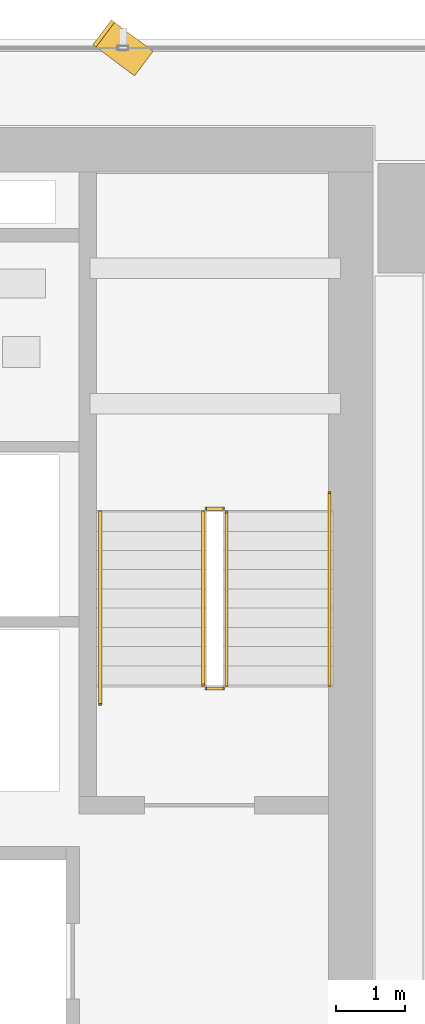
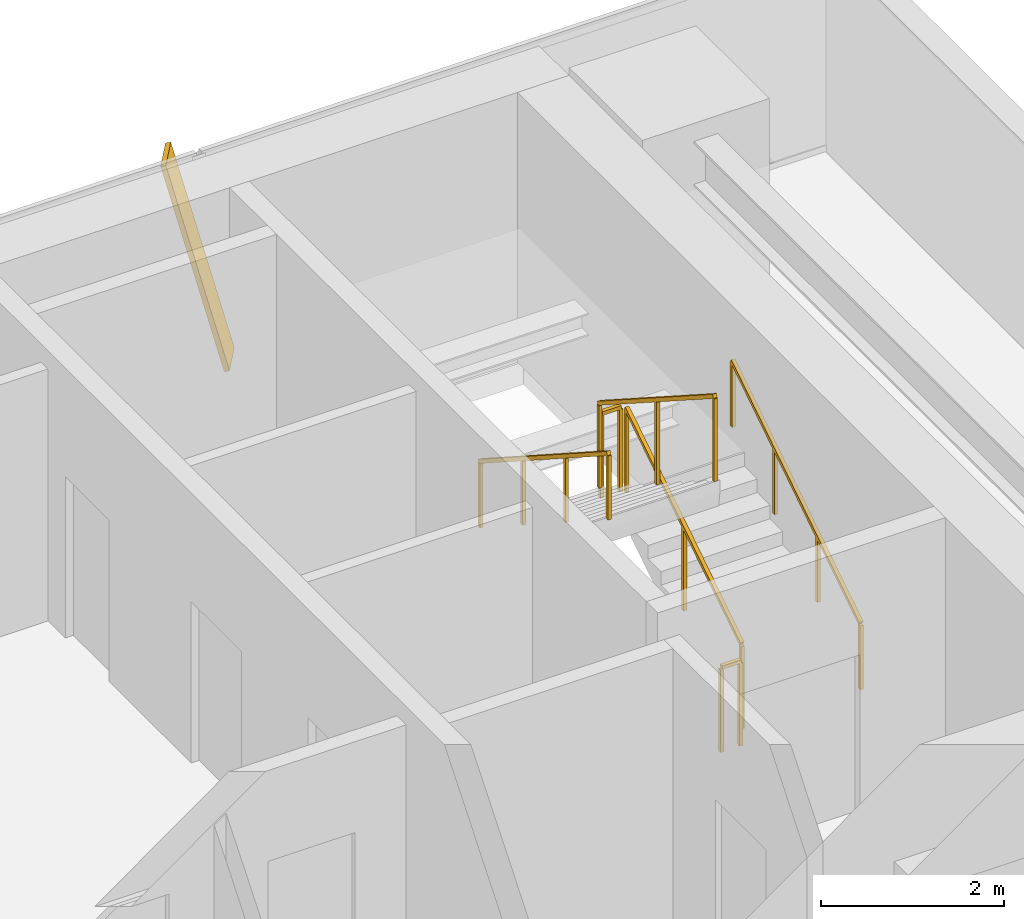
# One storey, part 35 of 36: 6 railings, 1 shading device.
"""IFC4 building model written with IfcOpenShell, lengths in metres."""

from ifc_helpers import new_model, si_unit, direction, frame, origin, origin_2d, place, context, subcontext, project, spatial, rectangle, extrude, source, transform, mapped, material, material_profile, profile_set, type_object, element, save


model = new_model("IFC4")

# Units and contexts
model_context = context("Model", 3, precision=1e-05, world=origin(), true_north=direction((0.0, 1.0)))
body_context = subcontext(model_context, "Body", "Model", "MODEL_VIEW")
ifc_project = project(units=[si_unit("LENGTHUNIT", "METRE"), si_unit("AREAUNIT", "SQUARE_METRE"), si_unit("VOLUMEUNIT", "CUBIC_METRE"), si_unit("PLANEANGLEUNIT", "RADIAN"), si_unit("MASSUNIT", "GRAM", prefix="KILO")], contexts=[model_context])

# Site, building, storey
site_placement = place(None, origin())
site = spatial("IfcSite", under=ifc_project, at=site_placement, CompositionType="ELEMENT")
building_placement = place(site_placement, origin())
building = spatial("IfcBuilding", under=site, at=building_placement, Name="Sumidabori Civic Tower", CompositionType="ELEMENT")
storey_placement = place(building_placement, frame((0.0, 0.0, 77.60009765625)))
storey = spatial("IfcBuildingStorey", under=building, at=storey_placement, Name="L19", CompositionType="ELEMENT", Elevation=77.60009765625)

# Railings
ifc_material_1 = material(Name="Stainless Steel Hairline Finish", Category="steel")
railing_type_1 = type_object("IfcRailingType", Name="RL-HANDRAIL", PredefinedType="HANDRAIL", material=ifc_material_1)
railing_1_placement = place(storey_placement, frame((15.2900390625, 16.0, 0.179931640625)))
element("IfcRailing", 1, at=railing_1_placement, inside=storey, type_object=railing_type_1, Name="L19 ST-2 stair handrail 1", PredefinedType="HANDRAIL", context=body_context, shape_type="SweptSolid", body=[
    extrude(rectangle(XDim=0.048095703125, YDim=0.048095703125, at=origin_2d()), frame((0.0, 0.0, 0.8759765625), z_axis=(0.0, 0.840675598268, 0.541539046124), x_axis=(-1.0, 0.0, 0.0)), (0.0, 0.0, 1.0), 3.330810546875),
    extrude(rectangle(XDim=0.0419921875, YDim=0.0419921875, at=origin_2d()), origin(), (0.0, 0.0, 1.0), 0.851806640625),
    extrude(rectangle(XDim=0.0419921875, YDim=0.0419921875, at=origin_2d()), frame((0.0, 0.933349609375, 0.601318359375)), (0.0, 0.0, 1.0), 0.851806640625),
    extrude(rectangle(XDim=0.0419921875, YDim=0.0419921875, at=origin_2d()), frame((0.0, 1.86669921875, 1.202392578125)), (0.0, 0.0, 1.0), 0.851806640625),
    extrude(rectangle(XDim=0.0419921875, YDim=0.0419921875, at=origin_2d()), frame((0.0, 2.800048828125, 1.8037109375)), (0.0, 0.0, 1.0), 0.851806640625),
])
railing_2_placement = place(storey_placement, frame((11.949951171875, 18.52001953125, 1.97998046875)))
element("IfcRailing", 2, at=railing_2_placement, inside=storey, type_object=railing_type_1, Name="L19 ST-2 stair handrail 2", PredefinedType="HANDRAIL", context=body_context, shape_type="SweptSolid", body=[
    extrude(rectangle(XDim=0.048095703125, YDim=0.048095703125, at=origin_2d()), frame((0.0, 0.0, 0.8759765625), z_axis=(0.0, -0.840675598268, 0.541539046124), x_axis=(1.0, 0.0, 0.0)), (0.0, 0.0, 1.0), 3.330810546875),
    extrude(rectangle(XDim=0.0419921875, YDim=0.0419921875, at=origin_2d()), origin(), (0.0, 0.0, 1.0), 0.851806640625),
    extrude(rectangle(XDim=0.0419921875, YDim=0.0419921875, at=origin_2d()), frame((0.0, -0.933349609375, 0.601318359375)), (0.0, 0.0, 1.0), 0.851806640625),
    extrude(rectangle(XDim=0.0419921875, YDim=0.0419921875, at=origin_2d()), frame((0.0, -1.86669921875, 1.202392578125)), (0.0, 0.0, 1.0), 0.851806640625),
    extrude(rectangle(XDim=0.0419921875, YDim=0.0419921875, at=origin_2d()), frame((0.0, -2.800048828125, 1.8037109375)), (0.0, 0.0, 1.0), 0.851806640625),
])
ifc_material_2 = material(Name="Steel SN490", Category="steel")
railing_type_2 = type_object("IfcRailingType", Name="RL-STAIR-GUARD", PredefinedType="GUARDRAIL", material=ifc_material_2)
railing_3_placement = place(storey_placement, frame((13.7900390625, 16.0, 0.179931640625)))
element("IfcRailing", 3, at=railing_3_placement, inside=storey, type_object=railing_type_2, Name="L19 ST-2 stair guard 1", PredefinedType="GUARDRAIL", context=body_context, shape_type="SweptSolid", body=[
    extrude(rectangle(XDim=0.048095703125, YDim=0.048095703125, at=origin_2d()), frame((0.0, 0.0, 1.1259765625), z_axis=(0.0, 0.841199657755, 0.540724639528), x_axis=(-1.0, 0.0, 0.0)), (0.0, 0.0, 1.0), 2.995849609375),
    extrude(rectangle(XDim=0.0419921875, YDim=0.0419921875, at=origin_2d()), origin(), (0.0, 0.0, 1.0), 1.101806640625),
    extrude(rectangle(XDim=0.0419921875, YDim=0.0419921875, at=origin_2d()), frame((0.0, 1.260009765625, 0.81005859375)), (0.0, 0.0, 1.0), 1.101806640625),
    extrude(rectangle(XDim=0.0419921875, YDim=0.0419921875, at=origin_2d()), frame((0.0, 2.52001953125, 1.619873046875)), (0.0, 0.0, 1.0), 1.101806640625),
])
railing_4_placement = place(storey_placement, frame((13.739990234375, 18.570068359375, 1.7998046875)))
element("IfcRailing", 4, at=railing_4_placement, inside=storey, type_object=railing_type_2, Name="L19 ST-2 stair guard 2", PredefinedType="GUARDRAIL", context=body_context, shape_type="SweptSolid", body=[
    extrude(rectangle(XDim=0.048095703125, YDim=0.048095703125, at=origin_2d()), frame((0.0, 0.0, 1.1259765625), z_axis=(-1.0, 0.0, 0.0), x_axis=(0.0, -1.0, 0.0)), (0.0, 0.0, 1.0), 0.239990234375),
    extrude(rectangle(XDim=0.0419921875, YDim=0.0419921875, at=origin_2d()), origin(), (0.0, 0.0, 1.0), 1.101806640625),
    extrude(rectangle(XDim=0.0419921875, YDim=0.0419921875, at=origin_2d()), frame((-0.239990234375, 0.0, 0.0)), (0.0, 0.0, 1.0), 1.101806640625),
])
railing_5_placement = place(storey_placement, frame((13.449951171875, 18.52001953125, 1.97998046875)))
element("IfcRailing", 5, at=railing_5_placement, inside=storey, type_object=railing_type_2, Name="L19 ST-2 stair guard 3", PredefinedType="GUARDRAIL", context=body_context, shape_type="SweptSolid", body=[
    extrude(rectangle(XDim=0.048095703125, YDim=0.048095703125, at=origin_2d()), frame((0.0, 0.0, 1.1259765625), z_axis=(0.0, -0.841199657755, 0.540724639528), x_axis=(1.0, 0.0, 0.0)), (0.0, 0.0, 1.0), 2.995849609375),
    extrude(rectangle(XDim=0.0419921875, YDim=0.0419921875, at=origin_2d()), origin(), (0.0, 0.0, 1.0), 1.101806640625),
    extrude(rectangle(XDim=0.0419921875, YDim=0.0419921875, at=origin_2d()), frame((0.0, -1.260009765625, 0.81005859375)), (0.0, 0.0, 1.0), 1.101806640625),
    extrude(rectangle(XDim=0.0419921875, YDim=0.0419921875, at=origin_2d()), frame((0.0, -2.52001953125, 1.619873046875)), (0.0, 0.0, 1.0), 1.101806640625),
])
railing_6_placement = place(storey_placement, frame((13.739990234375, 15.949951171875, 0.0)))
element("IfcRailing", 6, at=railing_6_placement, inside=storey, type_object=railing_type_2, Name="L19 ST-2 stair guard 4", PredefinedType="GUARDRAIL", context=body_context, shape_type="SweptSolid", body=[
    extrude(rectangle(XDim=0.048095703125, YDim=0.048095703125, at=origin_2d()), frame((0.0, 0.0, 1.1259765625), z_axis=(-1.0, 0.0, 0.0), x_axis=(0.0, -1.0, 0.0)), (0.0, 0.0, 1.0), 0.239990234375),
    extrude(rectangle(XDim=0.0419921875, YDim=0.0419921875, at=origin_2d()), origin(), (0.0, 0.0, 1.0), 1.101806640625),
    extrude(rectangle(XDim=0.0419921875, YDim=0.0419921875, at=origin_2d()), frame((-0.239990234375, 0.0, 0.0)), (0.0, 0.0, 1.0), 1.101806640625),
])

# Shading device
ifc_material_3 = material(Name="Anodised Bronze Aluminium AW-6063-T6", Category="aluminium")
ifc_material_profile = material_profile(ifc_material_3, rectangle(XDim=0.06005859375, YDim=0.449951171875, at=origin_2d()), Name="BRONZE FIN 450x60")
ifc_profile_set = profile_set([ifc_material_profile], Name="Anodised Bronze Aluminium AW-6063-T6")
shading_device_type = type_object("IfcShadingDeviceType", Name="SH-FIN-450", PredefinedType="USERDEFINED", material=ifc_profile_set)
shared_shape = source(origin(), body_context, "Body", "SweptSolid", [
    extrude(rectangle(XDim=0.06005859375, YDim=0.449951171875, at=origin_2d()), origin(), (0.0, 0.0, 1.0), 2.769775390625),
])
shading_device_placement = place(storey_placement, frame((12.56201171875, 25.070068359375, 0.02001953125), z_axis=(-0.202198633998, 0.151604904305, 0.967538973582), x_axis=(0.774112159528, -0.58041539424, 0.252721852241)))
element("IfcShadingDevice", 7, at=shading_device_placement, inside=storey, type_object=shading_device_type, Name="Bronze Anodised Diagonal Fin L19-01", ObjectType="FIN", PredefinedType="USERDEFINED", context=body_context, shape_type="MappedRepresentation", body=[
    mapped(shared_shape, transform((0.0, 0.0, 0.0), x_axis=(1.0, 0.0, 0.0), y_axis=(0.0, 1.0, 0.0), z_axis=(0.0, 0.0, 1.0), scale=1.0)),
])

save(model, "model.ifc")
